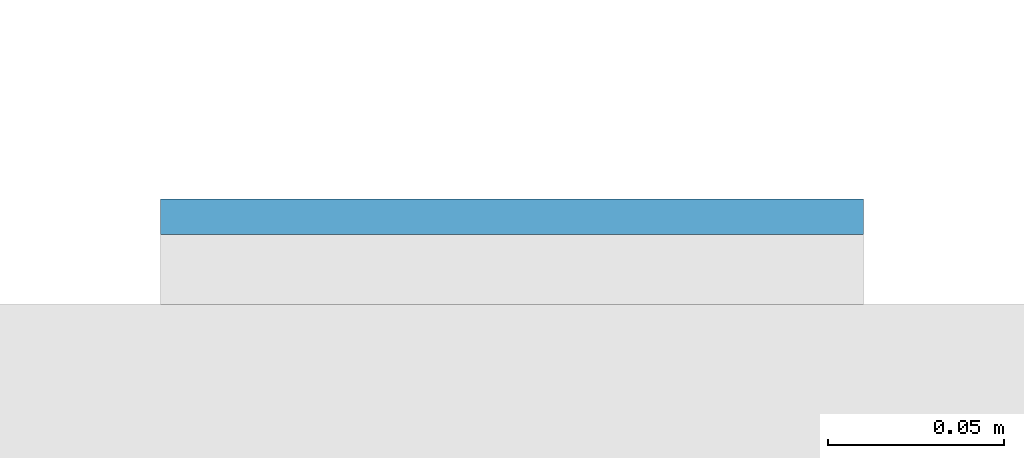
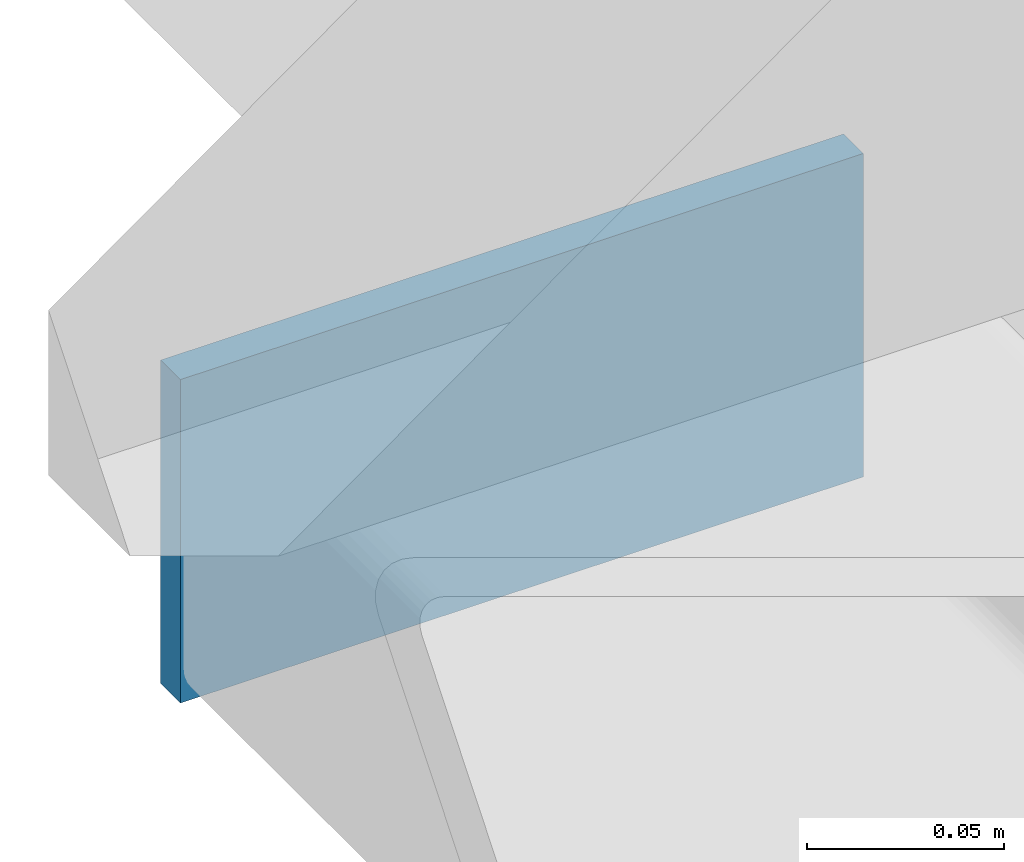
# One storey, part 9 of 20: 1 plate.
"""IFC4 building model written with IfcOpenShell, lengths in metres."""

from ifc_helpers import new_model, si_unit, direction, frame, origin, origin_2d, place, context, subcontext, project, spatial, rectangle, extrude, material, layer, layer_set, type_object, element, save


model = new_model("IFC4")

# Units and contexts
model_context = context("Model", 3, precision=1e-05, world=origin(), true_north=direction((0.0, 1.0)))
body_context = subcontext(model_context, "Body", "Model", "MODEL_VIEW")
ifc_project = project(units=[si_unit("LENGTHUNIT", "METRE"), si_unit("AREAUNIT", "SQUARE_METRE"), si_unit("VOLUMEUNIT", "CUBIC_METRE"), si_unit("PLANEANGLEUNIT", "RADIAN"), si_unit("MASSUNIT", "GRAM", prefix="KILO")], contexts=[model_context])

# Site, building, storey
site_placement = place(None, origin())
site = spatial("IfcSite", under=ifc_project, at=site_placement, CompositionType="ELEMENT")
building_placement = place(site_placement, origin())
building = spatial("IfcBuilding", under=site, at=building_placement, Name="Cleftline Residences", CompositionType="ELEMENT")
storey_placement = place(building_placement, frame((0.0, 0.0, 150.199951171875)))
storey = spatial("IfcBuildingStorey", under=building, at=storey_placement, Name="L39", CompositionType="ELEMENT", Elevation=150.199951171875)

# Plate
ifc_material = material(Name="Steel S355, hot-dip galvanised", Category="steel")
ifc_layer = layer(ifc_material, 0.010009765625)
ifc_layer_set = layer_set([ifc_layer], Name="BAGUETTE CARRIER END PLATE 200X100X10")
plate_type = type_object("IfcPlateType", Name="BAGUETTE CARRIER END PLATE 200X100X10", PredefinedType="USERDEFINED", material=ifc_layer_set)
plate_placement = place(storey_placement, frame((-0.85009765625, 44.304931640625, -0.10009765625), z_axis=(0.0, 0.0, 1.0), x_axis=(-1.0, 0.0, 0.0)))
element("IfcPlate", 1, at=plate_placement, inside=storey, type_object=plate_type, Name="Baguette carrier end plate", ObjectType="BAGUETTE CARRIER END PLATE", PredefinedType="USERDEFINED", context=body_context, shape_type="SweptSolid", body=[
    extrude(rectangle(XDim=0.199951171875, YDim=0.010009765625, at=origin_2d()), origin(), (0.0, 0.0, 1.0), 0.10009765625),
])

save(model, "model.ifc")
